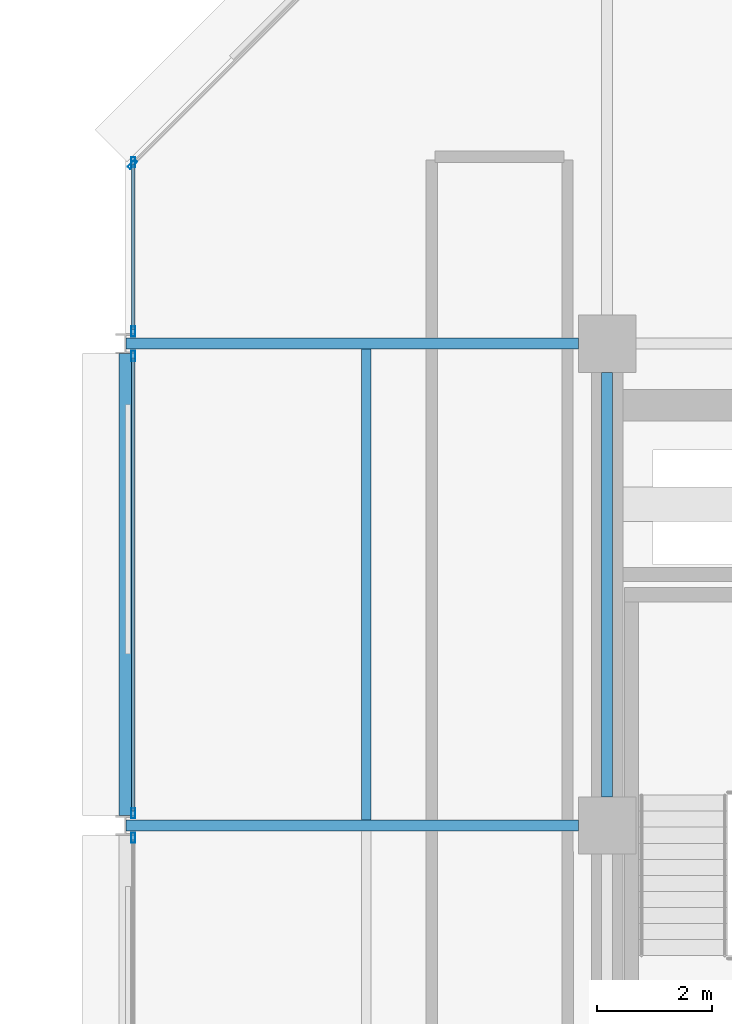
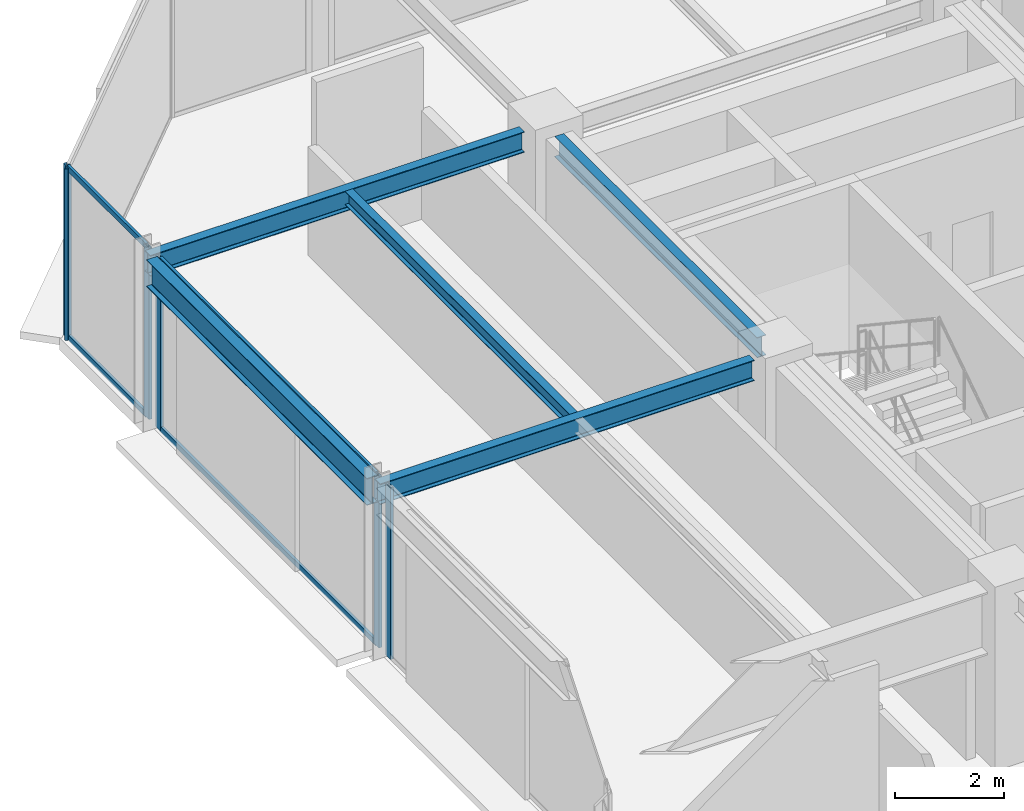
# One storey, part 18 of 30: 10 members, 5 beams, 4 elements without a shape of their own.
"""IFC4 building model written with IfcOpenShell, lengths in metres."""

from ifc_helpers import new_model, si_unit, direction, frame, origin, origin_2d, place, context, subcontext, project, spatial, hollow_rectangle, i_section, extrude, material, layer, layer_set, material_profile, profile_set, type_object, element, aggregate, save


model = new_model("IFC4")

# Units and contexts
model_context = context("Model", 3, precision=1e-05, world=origin(), true_north=direction((0.0, 1.0)))
body_context = subcontext(model_context, "Body", "Model", "MODEL_VIEW")
ifc_project = project(units=[si_unit("LENGTHUNIT", "METRE"), si_unit("AREAUNIT", "SQUARE_METRE"), si_unit("VOLUMEUNIT", "CUBIC_METRE"), si_unit("PLANEANGLEUNIT", "RADIAN"), si_unit("MASSUNIT", "GRAM", prefix="KILO")], contexts=[model_context])

# Site, building, storey
site_placement = place(None, origin())
site = spatial("IfcSite", under=ifc_project, at=site_placement, CompositionType="ELEMENT")
building_placement = place(site_placement, origin())
building = spatial("IfcBuilding", under=site, at=building_placement, Name="Nerrivon Quay Data Exchange", CompositionType="ELEMENT")
storey_placement = place(building_placement, frame((0.0, 0.0, 167.300048828125)))
storey = spatial("IfcBuildingStorey", under=building, at=storey_placement, Name="L39", CompositionType="ELEMENT", Elevation=167.300048828125)

# Beams
ifc_material_1 = material(Name="Steel Grade 350", Category="steel")
ifc_material_profile_1 = material_profile(ifc_material_1, i_section(OverallWidth=0.22802734375, OverallDepth=0.60205078125, WebThickness=0.010498046875, FlangeThickness=0.014892578125, FilletRadius=0.013916015625, at=origin_2d()), Name="610UB101")
ifc_profile_set_1 = profile_set([ifc_material_profile_1], Name="Steel Grade 350")
beam_type_1 = type_object("IfcBeamType", Name="BM-G2-610UB101", PredefinedType="BEAM", material=ifc_profile_set_1)
beam_1_placement = place(storey_placement, frame((0.0, 33.77490234375, 3.52392578125), z_axis=(0.0, 1.0, 0.0), x_axis=(-1.0, 0.0, 0.0)))
element("IfcBeam", 1, at=beam_1_placement, inside=storey, type_object=beam_type_1, Name="L39 NS Girder X=0.0 (33.6..42.0)", PredefinedType="BEAM", context=body_context, shape_type="SweptSolid", body=[
    extrude(i_section(OverallWidth=0.22802734375, OverallDepth=0.60205078125, WebThickness=0.010498046875, FlangeThickness=0.014892578125, FilletRadius=0.013916015625, at=origin_2d()), origin(), (0.0, 0.0, 1.0), 8.050048828125),
])
ifc_material_profile_2 = material_profile(ifc_material_1, i_section(OverallWidth=0.19091796875, OverallDepth=0.4599609375, WebThickness=0.010009765625, FlangeThickness=0.01611328125, FilletRadius=0.011474609375, at=origin_2d()), Name="460UB82.1")
ifc_profile_set_2 = profile_set([ifc_material_profile_2], Name="Steel Grade 350")
beam_type_2 = type_object("IfcBeamType", Name="BM-G5-460UB82", PredefinedType="BEAM", material=ifc_profile_set_2)
for number, where, z_axis, x_axis, name in (
    (2, (0.010009765625, 33.60009765625, 3.594970703125), (1.0, 0.0, 0.0), (0.0, 1.0, 0.0), "L39 EW Girder Y=33.6 (0.0..8.4)"),
    (3, (0.010009765625, 42.0, 3.594970703125), (1.0, 0.0, 0.0), (0.0, 1.0, 0.0), "L39 EW Girder Y=42.0 (0.0..8.4)"),
):
    element("IfcBeam", number, at=place(storey_placement, frame(where, z_axis=z_axis, x_axis=x_axis)), inside=storey, type_object=beam_type_2, Name=name, PredefinedType="BEAM", context=body_context, shape_type="SweptSolid", body=[
        extrude(i_section(OverallWidth=0.19091796875, OverallDepth=0.4599609375, WebThickness=0.010009765625, FlangeThickness=0.01611328125, FilletRadius=0.011474609375, at=origin_2d()), origin(), (0.0, 0.0, 1.0), 7.889892578125),
    ])
ifc_material_profile_3 = material_profile(ifc_material_1, i_section(OverallWidth=0.18994140625, OverallDepth=0.4541015625, WebThickness=0.008544921875, FlangeThickness=0.0126953125, FilletRadius=0.011474609375, at=origin_2d()), Name="460UB67.1")
ifc_profile_set_3 = profile_set([ifc_material_profile_3], Name="Steel Grade 350")
beam_type_3 = type_object("IfcBeamType", Name="BM-G6-460UB67", PredefinedType="BEAM", material=ifc_profile_set_3)
beam_2_placement = place(storey_placement, frame((8.39990234375, 34.10009765625, 3.597900390625), z_axis=(0.0, 1.0, 0.0), x_axis=(-1.0, 0.0, 0.0)))
element("IfcBeam", 4, at=beam_2_placement, inside=storey, type_object=beam_type_3, Name="L39 NS Girder X=8.4 (33.6..42.0)", PredefinedType="BEAM", context=body_context, shape_type="SweptSolid", body=[
    extrude(i_section(OverallWidth=0.18994140625, OverallDepth=0.4541015625, WebThickness=0.008544921875, FlangeThickness=0.0126953125, FilletRadius=0.011474609375, at=origin_2d()), origin(), (0.0, 0.0, 1.0), 7.39990234375),
])
ifc_material_profile_4 = material_profile(ifc_material_1, i_section(OverallWidth=0.166015625, OverallDepth=0.306884765625, WebThickness=0.006591796875, FlangeThickness=0.01171875, FilletRadius=0.011474609375, at=origin_2d()), Name="310UB46.2")
ifc_profile_set_4 = profile_set([ifc_material_profile_4], Name="Steel Grade 350")
beam_type_4 = type_object("IfcBeamType", Name="BM-J5-310UB46", PredefinedType="JOIST", material=ifc_profile_set_4)
beam_3_placement = place(storey_placement, frame((4.199951171875, 33.695556640625, 3.67138671875), z_axis=(0.0, 1.0, 0.0), x_axis=(-1.0, 0.0, 0.0)))
element("IfcBeam", 5, at=beam_3_placement, inside=storey, type_object=beam_type_4, Name="L39 Secondary Joist X=4.2 (33.6..42.0)", PredefinedType="JOIST", context=body_context, shape_type="SweptSolid", body=[
    extrude(i_section(OverallWidth=0.166015625, OverallDepth=0.306884765625, WebThickness=0.006591796875, FlangeThickness=0.01171875, FilletRadius=0.011474609375, at=origin_2d()), origin(), (0.0, 0.0, 1.0), 8.208984375),
])

# Curtain wall, member
ifc_material_2 = material(Name="Anodised aluminium 6063-T6", Category="aluminium")
ifc_layer = layer(ifc_material_2, 0.195068359375)
ifc_layer_set = layer_set([ifc_layer], Name="Anodised aluminium 6063-T6")
curtain_wall_type = type_object("IfcCurtainWallType", Name="CW-SYS-06", PredefinedType="NOTDEFINED", material=ifc_layer_set)
curtain_wall_1_placement = place(storey_placement, origin())
curtain_wall_1 = element("IfcCurtainWall", 6, at=curtain_wall_1_placement, inside=storey, type_object=curtain_wall_type, Name="L39 Unitised Curtain Wall 14", PredefinedType="NOTDEFINED")
ifc_material_profile_5 = material_profile(ifc_material_2, hollow_rectangle(XDim=0.06494140625, YDim=0.179931640625, WallThickness=0.00341796875, at=origin_2d()), Name="ALU-MULL-180x65")
ifc_profile_set_5 = profile_set([ifc_material_profile_5], Name="Anodised aluminium 6063-T6")
member_type_1 = type_object("IfcMemberType", Name="CWM-180x65", PredefinedType="MULLION", material=ifc_profile_set_5)
member_1_placement = place(storey_placement, frame((0.139892578125, 33.387451171875, 0.0), z_axis=(0.0, 0.0, 1.0), x_axis=(-1.0, 0.0, 0.0)))
member_1 = element("IfcMember", 7, at=member_1_placement, type_object=member_type_1, Name="CW06 mullion 2", PredefinedType="MULLION", context=body_context, shape_type="SweptSolid", body=[
    extrude(hollow_rectangle(XDim=0.06494140625, YDim=0.179931640625, WallThickness=0.00341796875, at=origin_2d()), origin(), (0.0, 0.0, 1.0), 3.824951171875),
])
aggregate(curtain_wall_1, [member_1])

# Curtain wall, members
curtain_wall_2_placement = place(storey_placement, origin())
curtain_wall_2 = element("IfcCurtainWall", 8, at=curtain_wall_2_placement, inside=storey, type_object=curtain_wall_type, Name="L39 Unitised Curtain Wall 15", PredefinedType="NOTDEFINED")
member_2_placement = place(storey_placement, frame((0.139892578125, 33.8125, 0.0), z_axis=(0.0, 0.0, 1.0), x_axis=(-1.0, 0.0, 0.0)))
member_2 = element("IfcMember", 9, at=member_2_placement, type_object=member_type_1, Name="CW06 mullion 1", PredefinedType="MULLION", context=body_context, shape_type="SweptSolid", body=[
    extrude(hollow_rectangle(XDim=0.06494140625, YDim=0.179931640625, WallThickness=0.00341796875, at=origin_2d()), origin(), (0.0, 0.0, 1.0), 3.824951171875),
])
member_3_placement = place(storey_placement, frame((0.139892578125, 41.78759765625, 0.0), z_axis=(0.0, 0.0, 1.0), x_axis=(-1.0, 0.0, 0.0)))
member_3 = element("IfcMember", 10, at=member_3_placement, type_object=member_type_1, Name="CW06 mullion 2", PredefinedType="MULLION", context=body_context, shape_type="SweptSolid", body=[
    extrude(hollow_rectangle(XDim=0.06494140625, YDim=0.179931640625, WallThickness=0.00341796875, at=origin_2d()), origin(), (0.0, 0.0, 1.0), 3.824951171875),
])

curtain_wall_3_placement = place(storey_placement, origin())
curtain_wall_3 = element("IfcCurtainWall", 11, at=curtain_wall_3_placement, inside=storey, type_object=curtain_wall_type, Name="L39 Unitised Curtain Wall 16", PredefinedType="NOTDEFINED")
member_4_placement = place(storey_placement, frame((0.139892578125, 42.21240234375, 0.0), z_axis=(0.0, 0.0, 1.0), x_axis=(-1.0, 0.0, 0.0)))
member_4 = element("IfcMember", 12, at=member_4_placement, type_object=member_type_1, Name="CW06 mullion 1", PredefinedType="MULLION", context=body_context, shape_type="SweptSolid", body=[
    extrude(hollow_rectangle(XDim=0.06494140625, YDim=0.179931640625, WallThickness=0.00341796875, at=origin_2d()), origin(), (0.0, 0.0, 1.0), 3.824951171875),
])
member_5_placement = place(storey_placement, frame((0.139892578125, 45.16259765625, 0.0), z_axis=(0.0, 0.0, 1.0), x_axis=(-1.0, 0.0, 0.0)))
member_5 = element("IfcMember", 13, at=member_5_placement, type_object=member_type_1, Name="CW06 mullion 2", PredefinedType="MULLION", context=body_context, shape_type="SweptSolid", body=[
    extrude(hollow_rectangle(XDim=0.06494140625, YDim=0.179931640625, WallThickness=0.00341796875, at=origin_2d()), origin(), (0.0, 0.0, 1.0), 3.824951171875),
])

# Curtain wall, member
curtain_wall_4_placement = place(storey_placement, origin())
curtain_wall_4 = element("IfcCurtainWall", 14, at=curtain_wall_4_placement, inside=storey, type_object=curtain_wall_type, Name="L39 Unitised Curtain Wall 17", PredefinedType="NOTDEFINED")
member_6_placement = place(storey_placement, frame((0.12548828125, 45.12744140625, 0.0), z_axis=(0.0, 0.0, 1.0), x_axis=(-0.707106781187, 0.707106781187, 0.0)))
member_6 = element("IfcMember", 15, at=member_6_placement, type_object=member_type_1, Name="CW06 mullion 1", PredefinedType="MULLION", context=body_context, shape_type="SweptSolid", body=[
    extrude(hollow_rectangle(XDim=0.06494140625, YDim=0.179931640625, WallThickness=0.00341796875, at=origin_2d()), origin(), (0.0, 0.0, 1.0), 3.824951171875),
])
aggregate(curtain_wall_4, [member_6])

# Member
ifc_material_profile_6 = material_profile(ifc_material_2, hollow_rectangle(XDim=0.06005859375, YDim=0.1201171875, WallThickness=0.003173828125, at=origin_2d()), Name="ALU-TRAN-120x60")
ifc_profile_set_6 = profile_set([ifc_material_profile_6], Name="Anodised aluminium 6063-T6")
member_type_2 = type_object("IfcMemberType", Name="CWT-120x60", PredefinedType="USERDEFINED", material=ifc_profile_set_6)
member_7_placement = place(storey_placement, frame((0.139892578125, 33.85009765625, 0.032470703125), z_axis=(0.0, 1.0, 0.0), x_axis=(-1.0, 0.0, 0.0)))
member_7 = element("IfcMember", 16, at=member_7_placement, type_object=member_type_2, Name="CW06 transom 1.1", ObjectType="TRANSOM", PredefinedType="USERDEFINED", context=body_context, shape_type="SweptSolid", body=[
    extrude(hollow_rectangle(XDim=0.06005859375, YDim=0.1201171875, WallThickness=0.003173828125, at=origin_2d()), origin(), (0.0, 0.0, 1.0), 7.89990234375),
])

member_8_placement = place(storey_placement, frame((0.139892578125, 33.85009765625, 3.79248046875), z_axis=(0.0, 1.0, 0.0), x_axis=(-1.0, 0.0, 0.0)))
member_8 = element("IfcMember", 17, at=member_8_placement, type_object=member_type_2, Name="CW06 transom 1.2", ObjectType="TRANSOM", PredefinedType="USERDEFINED", context=body_context, shape_type="SweptSolid", body=[
    extrude(hollow_rectangle(XDim=0.06005859375, YDim=0.1201171875, WallThickness=0.003173828125, at=origin_2d()), origin(), (0.0, 0.0, 1.0), 7.89990234375),
])

aggregate(curtain_wall_2, [member_2, member_3, member_7, member_8])

member_9_placement = place(storey_placement, frame((0.139892578125, 42.25, 0.032470703125), z_axis=(0.0, 1.0, 0.0), x_axis=(-1.0, 0.0, 0.0)))
member_9 = element("IfcMember", 18, at=member_9_placement, type_object=member_type_2, Name="CW06 transom 1.1", ObjectType="TRANSOM", PredefinedType="USERDEFINED", context=body_context, shape_type="SweptSolid", body=[
    extrude(hollow_rectangle(XDim=0.06005859375, YDim=0.1201171875, WallThickness=0.003173828125, at=origin_2d()), origin(), (0.0, 0.0, 1.0), 2.875),
])

member_10_placement = place(storey_placement, frame((0.139892578125, 42.25, 3.79248046875), z_axis=(0.0, 1.0, 0.0), x_axis=(-1.0, 0.0, 0.0)))
member_10 = element("IfcMember", 19, at=member_10_placement, type_object=member_type_2, Name="CW06 transom 1.2", ObjectType="TRANSOM", PredefinedType="USERDEFINED", context=body_context, shape_type="SweptSolid", body=[
    extrude(hollow_rectangle(XDim=0.06005859375, YDim=0.1201171875, WallThickness=0.003173828125, at=origin_2d()), origin(), (0.0, 0.0, 1.0), 2.875),
])

aggregate(curtain_wall_3, [member_4, member_5, member_9, member_10])

save(model, "model.ifc")
